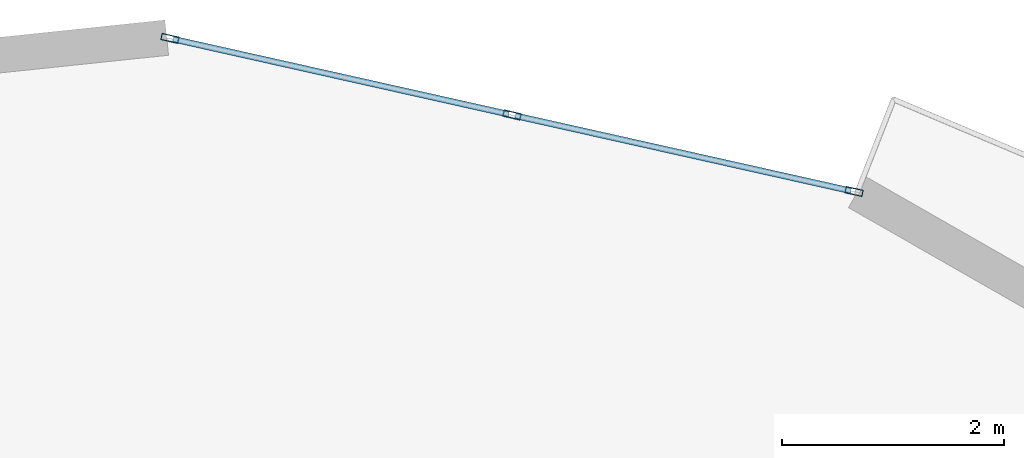
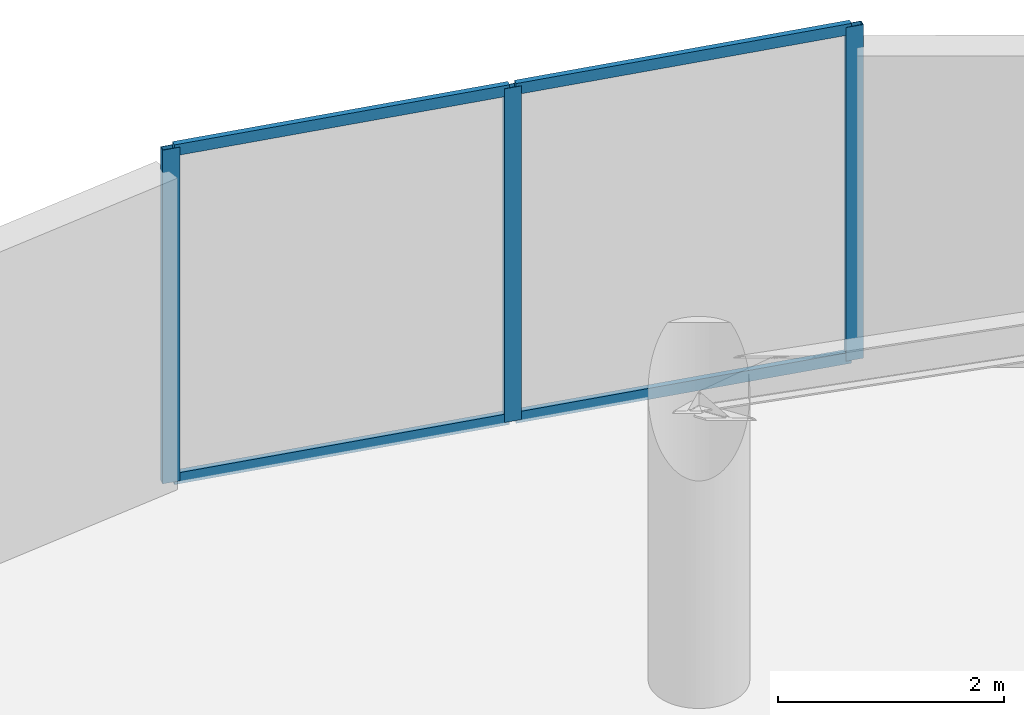
# One storey, part 16 of 23: 7 members, 1 element without a shape of its own.
"""IFC4 building model written with IfcOpenShell, lengths in metres."""

from ifc_helpers import new_model, si_unit, direction, frame, origin, origin_2d, place, context, subcontext, project, spatial, hollow_rectangle, extrude, source, transform, mapped, material, layer, layer_set, material_profile, profile_set, type_object, element, aggregate, save


model = new_model("IFC4")

# Units and contexts
model_context = context("Model", 3, precision=1e-05, world=origin(), true_north=direction((0.0, 1.0)))
body_context = subcontext(model_context, "Body", "Model", "MODEL_VIEW")
ifc_project = project(units=[si_unit("LENGTHUNIT", "METRE"), si_unit("AREAUNIT", "SQUARE_METRE"), si_unit("VOLUMEUNIT", "CUBIC_METRE"), si_unit("PLANEANGLEUNIT", "RADIAN"), si_unit("MASSUNIT", "GRAM", prefix="KILO")], contexts=[model_context])

# Site, building, storey
site_placement = place(None, origin())
site = spatial("IfcSite", under=ifc_project, at=site_placement, CompositionType="ELEMENT")
building_placement = place(site_placement, origin())
building = spatial("IfcBuilding", under=site, at=building_placement, Name="Solvirekh Grand Hotel", CompositionType="ELEMENT")
storey_placement = place(building_placement, frame((0.0, 0.0, 176.800048828125)))
storey = spatial("IfcBuildingStorey", under=building, at=storey_placement, Name="L45", CompositionType="ELEMENT", Elevation=176.800048828125)

# Curtain wall, members
ifc_material = material(Name="Anodized Bronze Aluminium 6063-T6", Category="aluminium")
ifc_layer = layer(ifc_material, 0.159912109375)
ifc_layer_set = layer_set([ifc_layer], Name="Anodized Bronze Aluminium 6063-T6")
curtain_wall_type = type_object("IfcCurtainWallType", Name="CW_Sys4_HighZoneFlushBronzeCW", PredefinedType="NOTDEFINED", material=ifc_layer_set)
curtain_wall_placement = place(storey_placement, origin())
curtain_wall = element("IfcCurtainWall", 1, at=curtain_wall_placement, inside=storey, type_object=curtain_wall_type, Name="L45 unitised bronze-glass curtain wall CW-L45-C08", PredefinedType="NOTDEFINED")
ifc_material_profile_1 = material_profile(ifc_material, hollow_rectangle(XDim=0.054931640625, YDim=0.1201171875, WallThickness=0.00390625, at=origin_2d()), Name="ALU RHS 120X55X4")
ifc_profile_set_1 = profile_set([ifc_material_profile_1], Name="Anodized Bronze Aluminium 6063-T6")
member_type_1 = type_object("IfcMemberType", Name="CWTransom_Sys4", PredefinedType="USERDEFINED", material=ifc_profile_set_1)
shared_shape_1 = source(origin(), body_context, "Body", "SweptSolid", [
    extrude(hollow_rectangle(XDim=0.054931640625, YDim=0.1201171875, WallThickness=0.00390625, at=origin_2d()), origin(), (0.0, 0.0, 1.0), 3.1044921875),
])
member_1_placement = place(storey_placement, frame((3.63134765625, 19.4111328125, 0.02734375), z_axis=(-0.975845392385, 0.218462285442, 0.0), x_axis=(-0.218462285442, -0.975845392385, 0.0)))
member_1 = element("IfcMember", 2, at=member_1_placement, type_object=member_type_1, Name="U04 transom 1.1", ObjectType="TRANSOM", PredefinedType="USERDEFINED", context=body_context, shape_type="MappedRepresentation", body=[
    mapped(shared_shape_1, transform((0.0, 0.0, 0.0), x_axis=(1.0, 0.0, 0.0), y_axis=(0.0, 1.0, 0.0), z_axis=(0.0, 0.0, 1.0), scale=1.0)),
])
member_2_placement = place(storey_placement, frame((3.63134765625, 19.4111328125, 3.572509765625), z_axis=(-0.975845392385, 0.218462285442, 0.0), x_axis=(-0.218462285442, -0.975845392385, 0.0)))
member_2 = element("IfcMember", 3, at=member_2_placement, type_object=member_type_1, Name="U04 transom 1.2", ObjectType="TRANSOM", PredefinedType="USERDEFINED", context=body_context, shape_type="MappedRepresentation", body=[
    mapped(shared_shape_1, transform((0.0, 0.0, 0.0), x_axis=(1.0, 0.0, 0.0), y_axis=(0.0, 1.0, 0.0), z_axis=(0.0, 0.0, 1.0), scale=1.0)),
])
member_3_placement = place(storey_placement, frame((0.543212890625, 20.1025390625, 0.02734375), z_axis=(-0.975828624871, 0.218537170482, 0.0), x_axis=(-0.218537170482, -0.975828624871, 0.0)))
member_3 = element("IfcMember", 4, at=member_3_placement, type_object=member_type_1, Name="U04 transom 2.1", ObjectType="TRANSOM", PredefinedType="USERDEFINED", context=body_context, shape_type="MappedRepresentation", body=[
    mapped(shared_shape_1, transform((0.0, 0.0, 0.0), x_axis=(1.0, 0.0, 0.0), y_axis=(0.0, 1.0, 0.0), z_axis=(0.0, 0.0, 1.0), scale=1.0)),
])
member_4_placement = place(storey_placement, frame((0.543212890625, 20.1025390625, 3.572509765625), z_axis=(-0.975828624871, 0.218537170482, 0.0), x_axis=(-0.218537170482, -0.975828624871, 0.0)))
member_4 = element("IfcMember", 5, at=member_4_placement, type_object=member_type_1, Name="U04 transom 2.2", ObjectType="TRANSOM", PredefinedType="USERDEFINED", context=body_context, shape_type="MappedRepresentation", body=[
    mapped(shared_shape_1, transform((0.0, 0.0, 0.0), x_axis=(1.0, 0.0, 0.0), y_axis=(0.0, 1.0, 0.0), z_axis=(0.0, 0.0, 1.0), scale=1.0)),
])
ifc_material_profile_2 = material_profile(ifc_material, hollow_rectangle(XDim=0.06005859375, YDim=0.159912109375, WallThickness=0.0048828125, at=origin_2d()), Name="ALU RHS 160X60X5")
ifc_profile_set_2 = profile_set([ifc_material_profile_2], Name="Anodized Bronze Aluminium 6063-T6")
member_type_2 = type_object("IfcMemberType", Name="CWMullion_Sys4", PredefinedType="MULLION", material=ifc_profile_set_2)
shared_shape_2 = source(origin(), body_context, "Body", "SweptSolid", [
    extrude(hollow_rectangle(XDim=0.06005859375, YDim=0.159912109375, WallThickness=0.0048828125, at=origin_2d()), origin(), (0.0, 0.0, 1.0), 3.599853515625),
])
member_5_placement = place(storey_placement, frame((3.66064453125, 19.404541015625, 0.0), z_axis=(0.0, 0.0, 1.0), x_axis=(-0.218487916144, -0.975839654092, 0.0)))
member_5 = element("IfcMember", 6, at=member_5_placement, type_object=member_type_2, Name="U04 mullion 1", PredefinedType="MULLION", context=body_context, shape_type="MappedRepresentation", body=[
    mapped(shared_shape_2, transform((0.0, 0.0, 0.0), x_axis=(1.0, 0.0, 0.0), y_axis=(0.0, 1.0, 0.0), z_axis=(0.0, 0.0, 1.0), scale=1.0)),
])
member_6_placement = place(storey_placement, frame((0.572509765625, 20.095947265625, 0.0), z_axis=(0.0, 0.0, 1.0), x_axis=(-0.218487916144, -0.975839654092, 0.0)))
member_6 = element("IfcMember", 7, at=member_6_placement, type_object=member_type_2, Name="U04 mullion 2", PredefinedType="MULLION", context=body_context, shape_type="MappedRepresentation", body=[
    mapped(shared_shape_2, transform((0.0, 0.0, 0.0), x_axis=(1.0, 0.0, 0.0), y_axis=(0.0, 1.0, 0.0), z_axis=(0.0, 0.0, 1.0), scale=1.0)),
])
member_7_placement = place(storey_placement, frame((-2.515625, 20.787353515625, 0.0), z_axis=(0.0, 0.0, 1.0), x_axis=(-0.218487916144, -0.975839654092, 0.0)))
member_7 = element("IfcMember", 8, at=member_7_placement, type_object=member_type_2, Name="U04 mullion 3", PredefinedType="MULLION", context=body_context, shape_type="MappedRepresentation", body=[
    mapped(shared_shape_2, transform((0.0, 0.0, 0.0), x_axis=(1.0, 0.0, 0.0), y_axis=(0.0, 1.0, 0.0), z_axis=(0.0, 0.0, 1.0), scale=1.0)),
])
aggregate(curtain_wall, [member_5, member_6, member_7, member_1, member_2, member_3, member_4])

save(model, "model.ifc")
